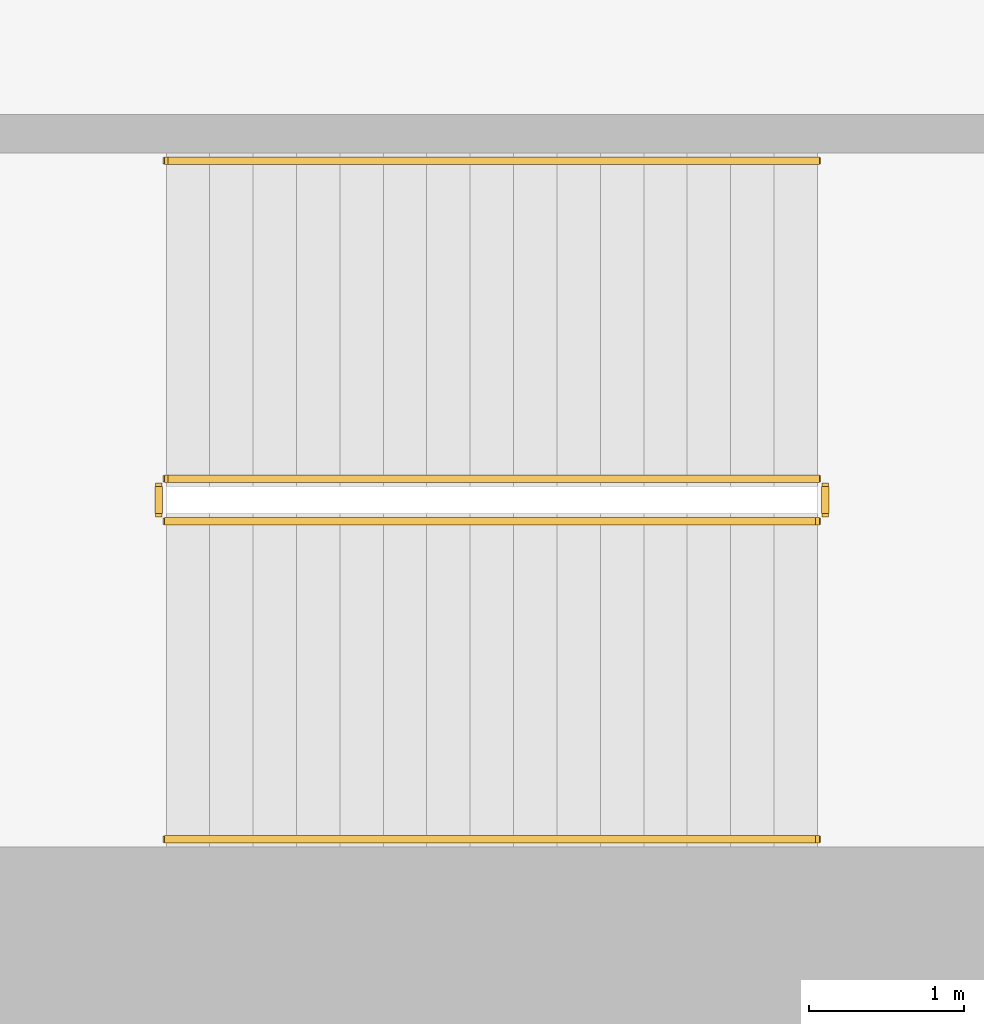
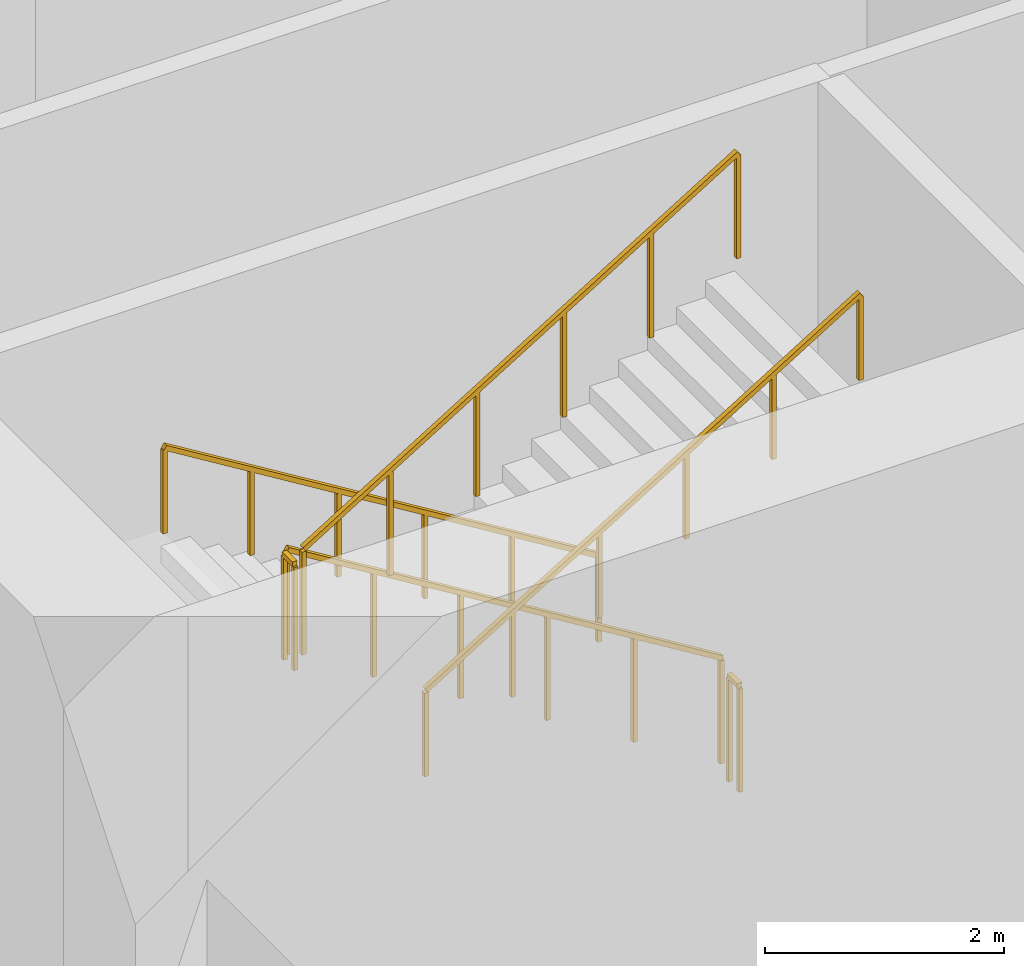
# One storey, part 8 of 12: 6 railings.
"""IFC4 building model written with IfcOpenShell, lengths in metres."""

from ifc_helpers import new_model, si_unit, direction, frame, origin, origin_2d, place, context, subcontext, project, spatial, rectangle, extrude, material, type_object, element, save


model = new_model("IFC4")

# Units and contexts
model_context = context("Model", 3, precision=1e-05, world=origin(), true_north=direction((0.0, 1.0)))
body_context = subcontext(model_context, "Body", "Model", "MODEL_VIEW")
ifc_project = project(units=[si_unit("LENGTHUNIT", "METRE"), si_unit("AREAUNIT", "SQUARE_METRE"), si_unit("VOLUMEUNIT", "CUBIC_METRE"), si_unit("PLANEANGLEUNIT", "RADIAN"), si_unit("MASSUNIT", "GRAM", prefix="KILO")], contexts=[model_context])

# Site, building, storey
site_placement = place(None, origin())
site = spatial("IfcSite", under=ifc_project, at=site_placement, CompositionType="ELEMENT")
building_placement = place(site_placement, origin())
building = spatial("IfcBuilding", under=site, at=building_placement, Name="Cypress Arch Tower", CompositionType="ELEMENT")
storey_placement = place(building_placement, frame((0.0, 0.0, 329.5)))
storey = spatial("IfcBuildingStorey", under=building, at=storey_placement, Name="L75", CompositionType="ELEMENT", Elevation=329.5)

# Railings
ifc_material_1 = material(Name="Black powder-coated steel square bar 48 mm", Category="steel")
railing_type_1 = type_object("IfcRailingType", Name="Stair handrail HR1", PredefinedType="HANDRAIL", material=ifc_material_1)
railing_1_placement = place(storey_placement, frame((-22.27490234375, -10.375, 0.171875)))
element("IfcRailing", 1, at=railing_1_placement, inside=storey, type_object=railing_type_1, Name="L75 A stair handrail 1", PredefinedType="HANDRAIL", context=body_context, shape_type="SweptSolid", body=[
    extrude(rectangle(XDim=0.048095703125, YDim=0.048095703125, at=origin_2d()), frame((0.0, 0.0, 0.8759765625), z_axis=(-0.852256472501, 0.0, 0.523124177495), x_axis=(0.0, -1.0, 0.0)), (0.0, 0.0, 1.0), 4.92822265625),
    extrude(rectangle(XDim=0.0419921875, YDim=0.0419921875, at=origin_2d()), origin(), (0.0, 0.0, 1.0), 0.851806640625),
    extrude(rectangle(XDim=0.0419921875, YDim=0.0419921875, at=origin_2d()), frame((-0.840087890625, 0.0, 0.515625)), (0.0, 0.0, 1.0), 0.851806640625),
    extrude(rectangle(XDim=0.0419921875, YDim=0.0419921875, at=origin_2d()), frame((-1.68017578125, 0.0, 1.03125)), (0.0, 0.0, 1.0), 0.851806640625),
    extrude(rectangle(XDim=0.0419921875, YDim=0.0419921875, at=origin_2d()), frame((-2.52001953125, 0.0, 1.546875)), (0.0, 0.0, 1.0), 0.851806640625),
    extrude(rectangle(XDim=0.0419921875, YDim=0.0419921875, at=origin_2d()), frame((-3.360107421875, 0.0, 2.0625)), (0.0, 0.0, 1.0), 0.851806640625),
    extrude(rectangle(XDim=0.0419921875, YDim=0.0419921875, at=origin_2d()), frame((-4.2001953125, 0.0, 2.578125)), (0.0, 0.0, 1.0), 0.851806640625),
])
railing_2_placement = place(storey_placement, frame((-26.47509765625, -14.75, 2.921875)))
element("IfcRailing", 2, at=railing_2_placement, inside=storey, type_object=railing_type_1, Name="L75 A stair handrail 2", PredefinedType="HANDRAIL", context=body_context, shape_type="SweptSolid", body=[
    extrude(rectangle(XDim=0.048095703125, YDim=0.048095703125, at=origin_2d()), frame((0.0, 0.0, 0.8759765625), z_axis=(0.852256472501, 0.0, 0.523124177495), x_axis=(0.0, 1.0, 0.0)), (0.0, 0.0, 1.0), 4.92822265625),
    extrude(rectangle(XDim=0.0419921875, YDim=0.0419921875, at=origin_2d()), origin(), (0.0, 0.0, 1.0), 0.851806640625),
    extrude(rectangle(XDim=0.0419921875, YDim=0.0419921875, at=origin_2d()), frame((0.840087890625, 0.0, 0.515625)), (0.0, 0.0, 1.0), 0.851806640625),
    extrude(rectangle(XDim=0.0419921875, YDim=0.0419921875, at=origin_2d()), frame((1.68017578125, 0.0, 1.03125)), (0.0, 0.0, 1.0), 0.851806640625),
    extrude(rectangle(XDim=0.0419921875, YDim=0.0419921875, at=origin_2d()), frame((2.52001953125, 0.0, 1.546875)), (0.0, 0.0, 1.0), 0.851806640625),
    extrude(rectangle(XDim=0.0419921875, YDim=0.0419921875, at=origin_2d()), frame((3.360107421875, 0.0, 2.0625)), (0.0, 0.0, 1.0), 0.851806640625),
    extrude(rectangle(XDim=0.0419921875, YDim=0.0419921875, at=origin_2d()), frame((4.2001953125, 0.0, 2.578125)), (0.0, 0.0, 1.0), 0.851806640625),
])
ifc_material_2 = material(Name="Black powder-coated steel balusters", Category="steel")
railing_type_2 = type_object("IfcRailingType", Name="Stair well guard G1", PredefinedType="GUARDRAIL", material=ifc_material_2)
railing_3_placement = place(storey_placement, frame((-22.27490234375, -12.425048828125, 0.171875)))
element("IfcRailing", 3, at=railing_3_placement, inside=storey, type_object=railing_type_2, Name="L75 A stair guard 1", PredefinedType="GUARDRAIL", context=body_context, shape_type="SweptSolid", body=[
    extrude(rectangle(XDim=0.048095703125, YDim=0.048095703125, at=origin_2d()), frame((0.0, 0.0, 1.076171875), z_axis=(-0.852256472501, 0.0, 0.523124177495), x_axis=(0.0, -1.0, 0.0)), (0.0, 0.0, 1.0), 4.92822265625),
    extrude(rectangle(XDim=0.0419921875, YDim=0.0419921875, at=origin_2d()), origin(), (0.0, 0.0, 1.0), 1.052001953125),
    extrude(rectangle(XDim=0.0419921875, YDim=0.0419921875, at=origin_2d()), frame((-0.840087890625, 0.0, 0.515625)), (0.0, 0.0, 1.0), 1.052001953125),
    extrude(rectangle(XDim=0.0419921875, YDim=0.0419921875, at=origin_2d()), frame((-1.68017578125, 0.0, 1.03125)), (0.0, 0.0, 1.0), 1.052001953125),
    extrude(rectangle(XDim=0.0419921875, YDim=0.0419921875, at=origin_2d()), frame((-2.52001953125, 0.0, 1.546875)), (0.0, 0.0, 1.0), 1.052001953125),
    extrude(rectangle(XDim=0.0419921875, YDim=0.0419921875, at=origin_2d()), frame((-3.360107421875, 0.0, 2.0625)), (0.0, 0.0, 1.0), 1.052001953125),
    extrude(rectangle(XDim=0.0419921875, YDim=0.0419921875, at=origin_2d()), frame((-4.2001953125, 0.0, 2.578125)), (0.0, 0.0, 1.0), 1.052001953125),
])
railing_4_placement = place(storey_placement, frame((-26.52490234375, -12.47509765625, 2.75)))
element("IfcRailing", 4, at=railing_4_placement, inside=storey, type_object=railing_type_2, Name="L75 A stair guard 2", PredefinedType="GUARDRAIL", context=body_context, shape_type="SweptSolid", body=[
    extrude(rectangle(XDim=0.048095703125, YDim=0.048095703125, at=origin_2d()), frame((0.0, 0.0, 1.076171875), z_axis=(0.0, -1.0, 0.0), x_axis=(1.0, 0.0, 0.0)), (0.0, 0.0, 1.0), 0.1748046875),
    extrude(rectangle(XDim=0.0419921875, YDim=0.0419921875, at=origin_2d()), origin(), (0.0, 0.0, 1.0), 1.052001953125),
    extrude(rectangle(XDim=0.0419921875, YDim=0.0419921875, at=origin_2d()), frame((0.0, -0.1748046875, 0.0)), (0.0, 0.0, 1.0), 1.052001953125),
])
railing_5_placement = place(storey_placement, frame((-26.47509765625, -12.699951171875, 2.921875)))
element("IfcRailing", 5, at=railing_5_placement, inside=storey, type_object=railing_type_2, Name="L75 A stair guard 3", PredefinedType="GUARDRAIL", context=body_context, shape_type="SweptSolid", body=[
    extrude(rectangle(XDim=0.048095703125, YDim=0.048095703125, at=origin_2d()), frame((0.0, 0.0, 1.076171875), z_axis=(0.852256472501, 0.0, 0.523124177495), x_axis=(0.0, 1.0, 0.0)), (0.0, 0.0, 1.0), 4.92822265625),
    extrude(rectangle(XDim=0.0419921875, YDim=0.0419921875, at=origin_2d()), origin(), (0.0, 0.0, 1.0), 1.052001953125),
    extrude(rectangle(XDim=0.0419921875, YDim=0.0419921875, at=origin_2d()), frame((0.840087890625, 0.0, 0.515625)), (0.0, 0.0, 1.0), 1.052001953125),
    extrude(rectangle(XDim=0.0419921875, YDim=0.0419921875, at=origin_2d()), frame((1.68017578125, 0.0, 1.03125)), (0.0, 0.0, 1.0), 1.052001953125),
    extrude(rectangle(XDim=0.0419921875, YDim=0.0419921875, at=origin_2d()), frame((2.52001953125, 0.0, 1.546875)), (0.0, 0.0, 1.0), 1.052001953125),
    extrude(rectangle(XDim=0.0419921875, YDim=0.0419921875, at=origin_2d()), frame((3.360107421875, 0.0, 2.0625)), (0.0, 0.0, 1.0), 1.052001953125),
    extrude(rectangle(XDim=0.0419921875, YDim=0.0419921875, at=origin_2d()), frame((4.2001953125, 0.0, 2.578125)), (0.0, 0.0, 1.0), 1.052001953125),
])
railing_6_placement = place(storey_placement, frame((-22.22509765625, -12.47509765625, 0.0)))
element("IfcRailing", 6, at=railing_6_placement, inside=storey, type_object=railing_type_2, Name="L75 A stair guard 4", PredefinedType="GUARDRAIL", context=body_context, shape_type="SweptSolid", body=[
    extrude(rectangle(XDim=0.048095703125, YDim=0.048095703125, at=origin_2d()), frame((0.0, 0.0, 1.076171875), z_axis=(0.0, -1.0, 0.0), x_axis=(1.0, 0.0, 0.0)), (0.0, 0.0, 1.0), 0.1748046875),
    extrude(rectangle(XDim=0.0419921875, YDim=0.0419921875, at=origin_2d()), origin(), (0.0, 0.0, 1.0), 1.052001953125),
    extrude(rectangle(XDim=0.0419921875, YDim=0.0419921875, at=origin_2d()), frame((0.0, -0.1748046875, 0.0)), (0.0, 0.0, 1.0), 1.052001953125),
])

save(model, "model.ifc")
